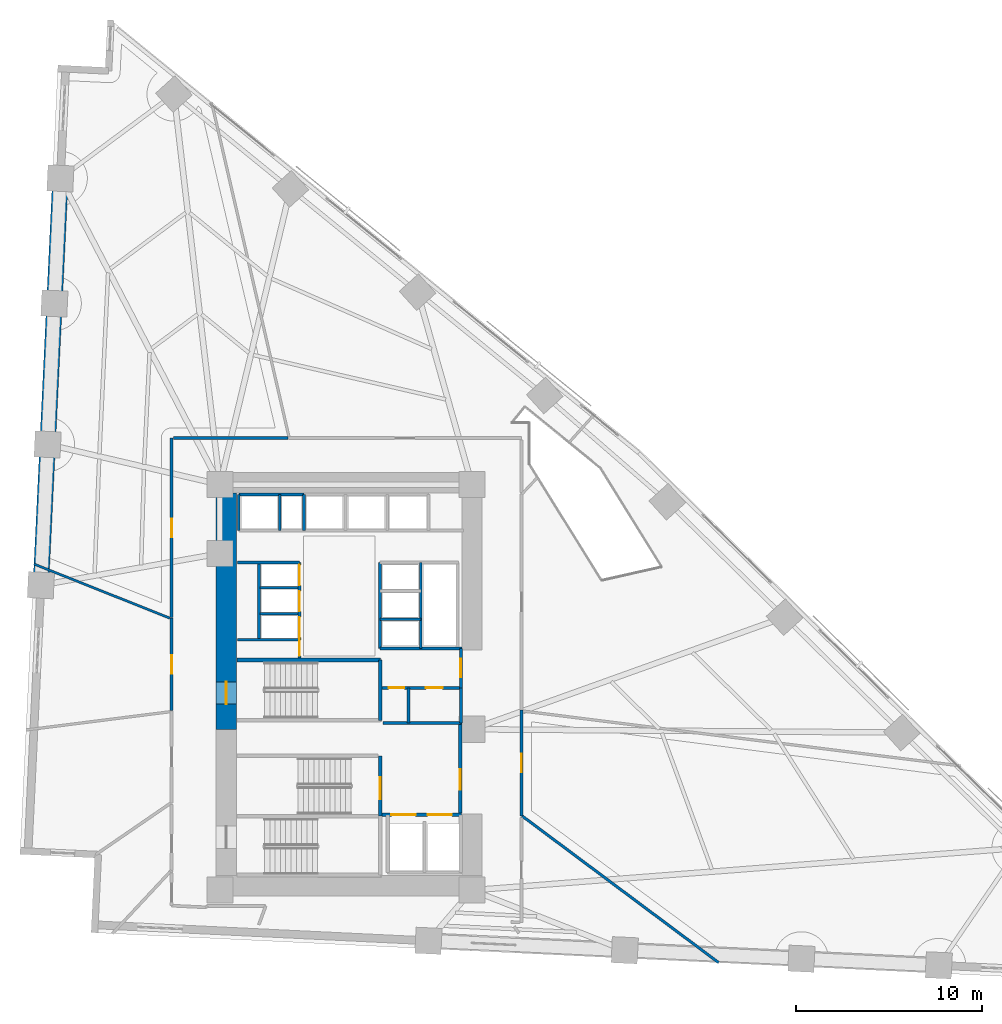
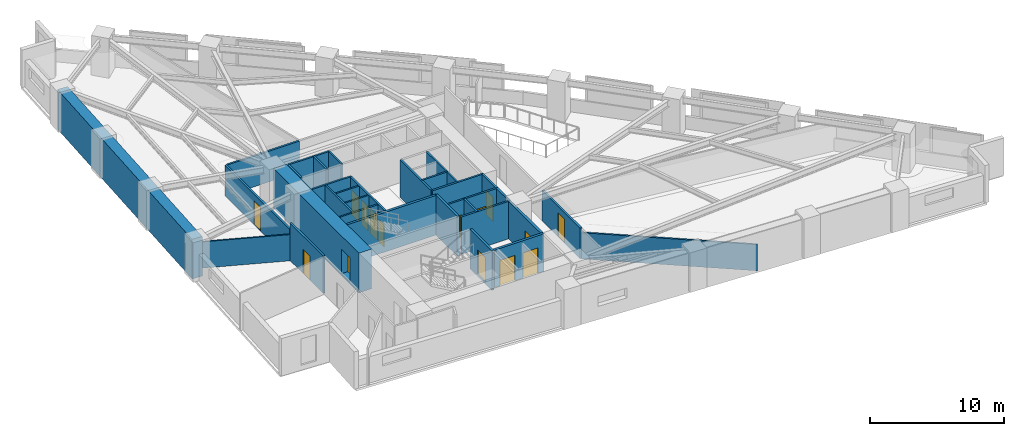
# One storey, part 14 of 17: 32 walls, 15 doors, 15 openings.
"""IFC4 building model written with IfcOpenShell, lengths in metres."""

from ifc_helpers import new_model, si_unit, direction, frame, frame_2d, origin, place, context, subcontext, project, spatial, rectangle, extrude, material, layer, layer_set, type_object, element, fill, save


model = new_model("IFC4")

# Units and contexts
model_context = context("Model", 3, precision=1e-05, world=origin(), true_north=direction((0.0, 1.0)))
body_context = subcontext(model_context, "Body", "Model", "MODEL_VIEW")
ifc_project = project(units=[si_unit("LENGTHUNIT", "METRE"), si_unit("AREAUNIT", "SQUARE_METRE"), si_unit("VOLUMEUNIT", "CUBIC_METRE"), si_unit("PLANEANGLEUNIT", "RADIAN"), si_unit("MASSUNIT", "GRAM", prefix="KILO")], contexts=[model_context])

# Site, building, storey
site_placement = place(None, origin())
site = spatial("IfcSite", under=ifc_project, at=site_placement, CompositionType="ELEMENT")
building_placement = place(site_placement, origin())
building = spatial("IfcBuilding", under=site, at=building_placement, Name="Narakoshi Arena Tower", CompositionType="ELEMENT")
storey_placement = place(building_placement, frame((0.0, 0.0, 51.89990234375)))
storey = spatial("IfcBuildingStorey", under=building, at=storey_placement, Name="L13", CompositionType="ELEMENT", Elevation=51.89990234375)

# Wall, opening, door
ifc_material_1 = material(Name="Concrete C60/75", Category="concrete")
ifc_layer_1 = layer(ifc_material_1, 1.10009765625)
ifc_layer_set_1 = layer_set([ifc_layer_1], Name="Concrete C60/75")
wall_type_1 = type_object("IfcWallType", Name="WL-CORE-1100", PredefinedType="SHEAR", material=ifc_layer_set_1)
wall_1_placement = place(storey_placement, frame((72.35009765625, 43.35009765625, -0.199951171875), z_axis=(0.0, 0.0, 1.0), x_axis=(0.0, 1.0, 0.0)))
wall_1 = element("IfcWall", 1, at=wall_1_placement, inside=storey, type_object=wall_type_1, Name="L13 Main Core Shear Wall CW-MN-W", PredefinedType="SHEAR", context=body_context, shape_type="SweptSolid", body=[
    extrude(rectangle(XDim=12.699951171875, YDim=1.10009765625, at=frame_2d((6.35009765625, 0.0))), origin(), (0.0, 0.0, 1.0), 3.60009765625),
])
opening_1_placement = place(wall_1_placement, frame((1.35009765625, 0.0, 0.199951171875)))
opening_1 = element("IfcOpeningElement", 2, at=opening_1_placement, cuts=wall_1, Name="Opening D-03", PredefinedType="OPENING", context=body_context, shape_type="SweptSolid", body=[
    extrude(rectangle(XDim=1.199951171875, YDim=2.199951171875, at=frame_2d((0.60009765625, 1.10009765625))), frame((0.0, 0.56005859375, 0.0), z_axis=(0.0, -1.0, 0.0), x_axis=(1.0, 0.0, 0.0)), (0.0, 0.0, 1.0), 1.1201171875),
])
ifc_material_2 = material(Name="Painted galvanized steel", Category="steel")
door_type_1 = type_object("IfcDoorType", Name="DR-STR-1200", OperationType="NOTDEFINED", PredefinedType="USERDEFINED", material=ifc_material_2)
door_1_placement = place(opening_1_placement, frame((1.199951171875, 0.0, 0.0), z_axis=(0.0, 0.0, 1.0), x_axis=(-1.0, 0.0, 0.0)))
door_1 = element("IfcDoor", 3, at=door_1_placement, inside=storey, type_object=door_type_1, Name="DR-L13-006", ObjectType="EXITDOOR", OperationType="SINGLE_SWING_LEFT", OverallHeight=2.199951171875, OverallWidth=1.199951171875, PredefinedType="USERDEFINED", context=body_context, shape_type="SweptSolid", body=[
    extrude(rectangle(XDim=1.199951171875, YDim=2.199951171875, at=frame_2d((0.60009765625, 1.10009765625))), frame((0.0, 0.02490234375, 0.0), z_axis=(0.0, -1.0, 0.0), x_axis=(1.0, 0.0, 0.0)), (0.0, 0.0, 1.0), 0.050048828125),
])
fill(opening_1, door_1)

ifc_material_3 = material(Name="Gypsum plasterboard fire-rated partition")
ifc_layer_2 = layer(ifc_material_3, 0.1650390625)
ifc_layer_set_2 = layer_set([ifc_layer_2], Name="Gypsum plasterboard fire-rated partition")
wall_type_2 = type_object("IfcWallType", Name="WL-CORR-165", PredefinedType="PARTITIONING", material=ifc_layer_set_2)
wall_2_placement = place(storey_placement, frame((84.949951171875, 45.580078125, 0.0), z_axis=(0.0, 0.0, 1.0), x_axis=(0.0, 1.0, 0.0)))
wall_2 = element("IfcWall", 4, at=wall_2_placement, inside=storey, type_object=wall_type_2, Name="L13 Core Wall CPAS-E", PredefinedType="PARTITIONING", context=body_context, shape_type="SweptSolid", body=[
    extrude(rectangle(XDim=2.119873046875, YDim=0.1650390625, at=frame_2d((1.06005859375, 0.0))), origin(), (0.0, 0.0, 1.0), 3.400146484375),
])
opening_2_placement = place(wall_2_placement, frame((0.56005859375, 0.0, 0.0)))
opening_2 = element("IfcOpeningElement", 5, at=opening_2_placement, cuts=wall_2, Name="Opening D-06", PredefinedType="OPENING", context=body_context, shape_type="SweptSolid", body=[
    extrude(rectangle(XDim=1.0, YDim=2.199951171875, at=frame_2d((0.5, 1.10009765625))), frame((0.0, 0.092529296875, 0.0), z_axis=(0.0, -1.0, 0.0), x_axis=(1.0, 0.0, 0.0)), (0.0, 0.0, 1.0), 0.18505859375),
])
ifc_material_4 = material(Name="Stained oak solid-core timber", Category="wood")
door_type_2 = type_object("IfcDoorType", Name="DR-OFF-1000", OperationType="NOTDEFINED", PredefinedType="DOOR", material=ifc_material_4)
door_2_placement = place(opening_2_placement, frame((1.0, 0.0, 0.0), z_axis=(0.0, 0.0, 1.0), x_axis=(-1.0, 0.0, 0.0)))
door_2 = element("IfcDoor", 6, at=door_2_placement, inside=storey, type_object=door_type_2, Name="DR-L13-007", OperationType="SINGLE_SWING_LEFT", OverallHeight=2.199951171875, OverallWidth=1.0, PredefinedType="DOOR", context=body_context, shape_type="SweptSolid", body=[
    extrude(rectangle(XDim=1.0, YDim=2.199951171875, at=frame_2d((0.5, 1.10009765625))), frame((0.0, 0.02490234375, 0.0), z_axis=(0.0, -1.0, 0.0), x_axis=(1.0, 0.0, 0.0)), (0.0, 0.0, 1.0), 0.050048828125),
])
fill(opening_2, door_2)

wall_3_placement = place(storey_placement, frame((69.402587890625, 49.320068359375, 0.0), z_axis=(0.0, 0.0, 1.0), x_axis=(0.0, -1.0, 0.0)))
wall_3 = element("IfcWall", 7, at=wall_3_placement, inside=storey, type_object=wall_type_2, Name="L13 Corridor Partition 02-1", PredefinedType="PARTITIONING", context=body_context, shape_type="SweptSolid", body=[
    extrude(rectangle(XDim=4.958251953125, YDim=0.1650390625, at=frame_2d((2.47900390625, 0.0))), origin(), (0.0, 0.0, 1.0), 3.400146484375),
])
opening_3_placement = place(wall_3_placement, frame((1.979248046875, 0.0, 0.0)))
opening_3 = element("IfcOpeningElement", 8, at=opening_3_placement, cuts=wall_3, Name="Opening D-06", PredefinedType="OPENING", context=body_context, shape_type="SweptSolid", body=[
    extrude(rectangle(XDim=1.0, YDim=2.199951171875, at=frame_2d((0.5, 1.10009765625))), frame((0.0, 0.092529296875, 0.0), z_axis=(0.0, -1.0, 0.0), x_axis=(1.0, 0.0, 0.0)), (0.0, 0.0, 1.0), 0.18505859375),
])
door_3_placement = place(opening_3_placement, frame((1.0, 0.0, 0.0), z_axis=(0.0, 0.0, 1.0), x_axis=(-1.0, 0.0, 0.0)))
door_3 = element("IfcDoor", 9, at=door_3_placement, inside=storey, type_object=door_type_2, Name="DR-L13-015", OperationType="SINGLE_SWING_RIGHT", OverallHeight=2.199951171875, OverallWidth=1.0, PredefinedType="DOOR", context=body_context, shape_type="SweptSolid", body=[
    extrude(rectangle(XDim=1.0, YDim=2.199951171875, at=frame_2d((0.5, 1.10009765625))), frame((0.0, 0.02490234375, 0.0), z_axis=(0.0, -1.0, 0.0), x_axis=(1.0, 0.0, 0.0)), (0.0, 0.0, 1.0), 0.050048828125),
])
fill(opening_3, door_3)

wall_4_placement = place(storey_placement, frame((88.20947265625, 38.684814453125, 0.0), z_axis=(0.0, 0.0, 1.0), x_axis=(0.0, 1.0, 0.0)))
wall_4 = element("IfcWall", 10, at=wall_4_placement, inside=storey, type_object=wall_type_2, Name="L13 Corridor Partition 05-1", PredefinedType="PARTITIONING", context=body_context, shape_type="SweptSolid", body=[
    extrude(rectangle(XDim=5.689453125, YDim=0.1650390625, at=frame_2d((2.8447265625, 0.0))), origin(), (0.0, 0.0, 1.0), 2.78515625),
])
opening_4_placement = place(wall_4_placement, frame((2.3447265625, 0.0, 0.0)))
opening_4 = element("IfcOpeningElement", 11, at=opening_4_placement, cuts=wall_4, Name="Opening D-06", PredefinedType="OPENING", context=body_context, shape_type="SweptSolid", body=[
    extrude(rectangle(XDim=1.0, YDim=2.199951171875, at=frame_2d((0.5, 1.10009765625))), frame((0.0, 0.092529296875, 0.0), z_axis=(0.0, -1.0, 0.0), x_axis=(1.0, 0.0, 0.0)), (0.0, 0.0, 1.0), 0.18505859375),
])
door_4_placement = place(opening_4_placement, frame((1.0, 0.0, 0.0), z_axis=(0.0, 0.0, 1.0), x_axis=(-1.0, 0.0, 0.0)))
door_4 = element("IfcDoor", 12, at=door_4_placement, inside=storey, type_object=door_type_2, Name="DR-L13-018", OperationType="SINGLE_SWING_LEFT", OverallHeight=2.199951171875, OverallWidth=1.0, PredefinedType="DOOR", context=body_context, shape_type="SweptSolid", body=[
    extrude(rectangle(XDim=1.0, YDim=2.199951171875, at=frame_2d((0.5, 1.10009765625))), frame((0.0, 0.02490234375, 0.0), z_axis=(0.0, -1.0, 0.0), x_axis=(1.0, 0.0, 0.0)), (0.0, 0.0, 1.0), 0.050048828125),
])
fill(opening_4, door_4)

wall_5_placement = place(storey_placement, frame((69.402587890625, 58.99755859375, 0.0), z_axis=(0.0, 0.0, 1.0), x_axis=(0.0, -1.0, 0.0)))
wall_5 = element("IfcWall", 13, at=wall_5_placement, inside=storey, type_object=wall_type_2, Name="L13 Corridor Partition 09-1", PredefinedType="PARTITIONING", context=body_context, shape_type="SweptSolid", body=[
    extrude(rectangle(XDim=9.65185546875, YDim=0.1650390625, at=frame_2d((4.825927734375, 0.0))), origin(), (0.0, 0.0, 1.0), 2.78515625),
])
opening_5_placement = place(wall_5_placement, frame((4.325927734375, 0.0, 0.0)))
opening_5 = element("IfcOpeningElement", 14, at=opening_5_placement, cuts=wall_5, Name="Opening D-06", PredefinedType="OPENING", context=body_context, shape_type="SweptSolid", body=[
    extrude(rectangle(XDim=1.0, YDim=2.199951171875, at=frame_2d((0.5, 1.10009765625))), frame((0.0, 0.092529296875, 0.0), z_axis=(0.0, -1.0, 0.0), x_axis=(1.0, 0.0, 0.0)), (0.0, 0.0, 1.0), 0.18505859375),
])
door_5_placement = place(opening_5_placement, frame((1.0, 0.0, 0.0), z_axis=(0.0, 0.0, 1.0), x_axis=(-1.0, 0.0, 0.0)))
door_5 = element("IfcDoor", 15, at=door_5_placement, inside=storey, type_object=door_type_2, Name="DR-L13-022", OperationType="SINGLE_SWING_LEFT", OverallHeight=2.199951171875, OverallWidth=1.0, PredefinedType="DOOR", context=body_context, shape_type="SweptSolid", body=[
    extrude(rectangle(XDim=1.0, YDim=2.199951171875, at=frame_2d((0.5, 1.10009765625))), frame((0.0, 0.02490234375, 0.0), z_axis=(0.0, -1.0, 0.0), x_axis=(1.0, 0.0, 0.0)), (0.0, 0.0, 1.0), 0.050048828125),
])
fill(opening_5, door_5)

# Walls
wall_6_placement = place(storey_placement, frame((75.668212890625, 58.99755859375, 0.0), z_axis=(0.0, 0.0, 1.0), x_axis=(-1.0, 0.0, 0.0)))
element("IfcWall", 16, at=wall_6_placement, inside=storey, type_object=wall_type_2, Name="L13 Corridor Partition 09-2", PredefinedType="PARTITIONING", context=body_context, shape_type="SweptSolid", body=[
    extrude(rectangle(XDim=6.171142578125, YDim=0.1650390625, at=frame_2d((3.08544921875, 0.0))), origin(), (0.0, 0.0, 1.0), 2.78515625),
])
ifc_layer_3 = layer(ifc_material_1, 0.85009765625)
ifc_layer_set_3 = layer_set([ifc_layer_3], Name="Concrete C60/75")
wall_type_3 = type_object("IfcWallType", Name="WL-LEG-850", PredefinedType="SHEAR", material=ifc_layer_set_3)
wall_7_placement = place(storey_placement, frame((63.42822265625, 72.95654296875, -0.199951171875), z_axis=(0.0, 0.0, 1.0), x_axis=(-0.047976309476, -0.998848473858, 0.0)))
element("IfcWall", 17, at=wall_7_placement, inside=storey, type_object=wall_type_3, Name="L13 Architectural Concrete Structural Wall LEGB-2", PredefinedType="SHEAR", context=body_context, shape_type="SweptSolid", body=[
    extrude(rectangle(XDim=21.891845703125, YDim=0.85009765625, at=frame_2d((10.94580078125, 0.0))), origin(), (0.0, 0.0, 1.0), 3.60009765625),
])
ifc_layer_4 = layer(ifc_material_3, 0.125)
ifc_layer_set_4 = layer_set([ifc_layer_4], Name="Gypsum plasterboard fire-rated partition")
wall_type_4 = type_object("IfcWallType", Name="WL-PART-125", PredefinedType="PARTITIONING", material=ifc_layer_set_4)
wall_8_placement = place(storey_placement, frame((62.007080078125, 52.229736328125, 0.0), z_axis=(0.0, 0.0, 1.0), x_axis=(0.929100277446, -0.36982789842, 0.0)))
element("IfcWall", 18, at=wall_8_placement, inside=storey, type_object=wall_type_4, Name="L13 Inter-Room Partition 02-09", PredefinedType="PARTITIONING", context=body_context, shape_type="SweptSolid", body=[
    extrude(rectangle(XDim=7.86767578125, YDim=0.125, at=frame_2d((3.933837890625, 0.0))), origin(), (0.0, 0.0, 1.0), 2.385009765625),
])
ifc_material_5 = material(Name="Concrete C40/50", Category="concrete")
ifc_layer_5 = layer(ifc_material_5, 0.280029296875)
ifc_layer_set_5 = layer_set([ifc_layer_5], Name="Concrete C40/50")
wall_type_5 = type_object("IfcWallType", Name="WL-RISER-280", PredefinedType="PLUMBINGWALL", material=ifc_layer_set_5)
wall_9_placement = place(storey_placement, frame((84.949951171875, 43.679931640625, 0.0), z_axis=(0.0, 0.0, 1.0), x_axis=(0.0, 1.0, 0.0)))
element("IfcWall", 19, at=wall_9_placement, inside=storey, type_object=wall_type_5, Name="L13 Core Wall RSR-E", PredefinedType="PLUMBINGWALL", context=body_context, shape_type="SweptSolid", body=[
    extrude(rectangle(XDim=1.900146484375, YDim=0.1650390625, at=frame_2d((0.9501953125, 0.0))), origin(), (0.0, 0.0, 1.0), 3.400146484375),
])

# Wall, openings, doors
wall_10_placement = place(storey_placement, frame((80.719970703125, 45.580078125, 0.0), z_axis=(0.0, 0.0, 1.0), x_axis=(1.0, 0.0, 0.0)))
wall_10 = element("IfcWall", 20, at=wall_10_placement, inside=storey, type_object=wall_type_5, Name="L13 Core Wall RSR-N", PredefinedType="PLUMBINGWALL", context=body_context, shape_type="SweptSolid", body=[
    extrude(rectangle(XDim=4.22998046875, YDim=0.159912109375, at=frame_2d((2.114990234375, 0.0))), origin(), (0.0, 0.0, 1.0), 3.400146484375),
])
opening_6_placement = place(wall_10_placement, frame((0.35009765625, 0.0, 0.0)))
opening_6 = element("IfcOpeningElement", 21, at=opening_6_placement, cuts=wall_10, Name="Opening D-10", PredefinedType="OPENING", context=body_context, shape_type="SweptSolid", body=[
    extrude(rectangle(XDim=0.85009765625, YDim=2.050048828125, at=frame_2d((0.425048828125, 1.02490234375))), frame((0.0, 0.08984375, 0.0), z_axis=(0.0, -1.0, 0.0), x_axis=(1.0, 0.0, 0.0)), (0.0, 0.0, 1.0), 0.179931640625),
])
opening_7_placement = place(wall_10_placement, frame((2.35009765625, 0.0, 0.0)))
opening_7 = element("IfcOpeningElement", 22, at=opening_7_placement, cuts=wall_10, Name="Opening D-08", PredefinedType="OPENING", context=body_context, shape_type="SweptSolid", body=[
    extrude(rectangle(XDim=0.89990234375, YDim=2.10009765625, at=frame_2d((0.449951171875, 1.050048828125))), frame((0.0, 0.08984375, 0.0), z_axis=(0.0, -1.0, 0.0), x_axis=(1.0, 0.0, 0.0)), (0.0, 0.0, 1.0), 0.179931640625),
])
door_type_3 = type_object("IfcDoorType", Name="DR-RSR-850", OperationType="NOTDEFINED", PredefinedType="DOOR", material=ifc_material_2)
door_6_placement = place(opening_6_placement, frame((0.85009765625, 0.0, 0.0), z_axis=(0.0, 0.0, 1.0), x_axis=(-1.0, 0.0, 0.0)))
door_6 = element("IfcDoor", 23, at=door_6_placement, inside=storey, type_object=door_type_3, Name="DR-L13-008", OperationType="SINGLE_SWING_LEFT", OverallHeight=2.050048828125, OverallWidth=0.85009765625, PredefinedType="DOOR", context=body_context, shape_type="SweptSolid", body=[
    extrude(rectangle(XDim=0.85009765625, YDim=2.050048828125, at=frame_2d((0.425048828125, 1.02490234375))), frame((0.0, 0.02490234375, 0.0), z_axis=(0.0, -1.0, 0.0), x_axis=(1.0, 0.0, 0.0)), (0.0, 0.0, 1.0), 0.050048828125),
])
fill(opening_6, door_6)
ifc_material_6 = material(Name="Moisture-resistant laminate timber", Category="wood")
door_type_4 = type_object("IfcDoorType", Name="DR-WC-900", OperationType="NOTDEFINED", PredefinedType="DOOR", material=ifc_material_6)
door_7_placement = place(opening_7_placement, frame((0.89990234375, 0.0, 0.0), z_axis=(0.0, 0.0, 1.0), x_axis=(-1.0, 0.0, 0.0)))
door_7 = element("IfcDoor", 24, at=door_7_placement, inside=storey, type_object=door_type_4, Name="DR-L13-009", OperationType="SINGLE_SWING_RIGHT", OverallHeight=2.10009765625, OverallWidth=0.89990234375, PredefinedType="DOOR", context=body_context, shape_type="SweptSolid", body=[
    extrude(rectangle(XDim=0.89990234375, YDim=2.10009765625, at=frame_2d((0.449951171875, 1.050048828125))), frame((0.0, 0.02490234375, 0.0), z_axis=(0.0, -1.0, 0.0), x_axis=(1.0, 0.0, 0.0)), (0.0, 0.0, 1.0), 0.050048828125),
])
fill(opening_7, door_7)

# Walls
wall_11_placement = place(storey_placement, frame((80.760009765625, 43.679931640625, 0.0), z_axis=(0.0, 0.0, 1.0), x_axis=(1.0, 0.0, 0.0)))
element("IfcWall", 25, at=wall_11_placement, inside=storey, type_object=wall_type_5, Name="L13 Core Wall RSR-S", PredefinedType="PLUMBINGWALL", context=body_context, shape_type="SweptSolid", body=[
    extrude(rectangle(XDim=4.18994140625, YDim=0.159912109375, at=frame_2d((2.094970703125, 0.0))), origin(), (0.0, 0.0, 1.0), 3.400146484375),
])
wall_12_placement = place(storey_placement, frame((82.14990234375, 43.679931640625, 0.0), z_axis=(0.0, 0.0, 1.0), x_axis=(0.0, 1.0, 0.0)))
element("IfcWall", 26, at=wall_12_placement, inside=storey, type_object=wall_type_5, Name="L13 Core Wall RSR-M", PredefinedType="PLUMBINGWALL", context=body_context, shape_type="SweptSolid", body=[
    extrude(rectangle(XDim=1.900146484375, YDim=0.159912109375, at=frame_2d((0.9501953125, 0.0))), origin(), (0.0, 0.0, 1.0), 3.400146484375),
])
wall_13_placement = place(storey_placement, frame((72.949951171875, 48.159912109375, 0.0), z_axis=(0.0, 0.0, 1.0), x_axis=(1.0, 0.0, 0.0)))
element("IfcWall", 27, at=wall_13_placement, inside=storey, type_object=wall_type_5, Name="L13 Core Wall LR-S0", PredefinedType="PLUMBINGWALL", context=body_context, shape_type="SweptSolid", body=[
    extrude(rectangle(XDim=3.239990234375, YDim=0.139892578125, at=frame_2d((1.6201171875, 0.0))), origin(), (0.0, 0.0, 1.0), 3.400146484375),
])
for number, where, z_axis, x_axis, name in (
    (28, (74.14990234375, 49.550048828125, 0.0), (0.0, 0.0, 1.0), (1.0, 0.0, 0.0), "L13 Core Wall LR-D1"),
    (29, (74.14990234375, 50.949951171875, 0.0), (0.0, 0.0, 1.0), (1.0, 0.0, 0.0), "L13 Core Wall LR-D2"),
):
    element("IfcWall", number, at=place(storey_placement, frame(where, z_axis=z_axis, x_axis=x_axis)), inside=storey, type_object=wall_type_5, Name=name, PredefinedType="PLUMBINGWALL", context=body_context, shape_type="SweptSolid", body=[
        extrude(rectangle(XDim=2.0400390625, YDim=0.139892578125, at=frame_2d((1.02001953125, 0.0))), origin(), (0.0, 0.0, 1.0), 3.400146484375),
    ])
wall_14_placement = place(storey_placement, frame((74.10009765625, 48.159912109375, 0.0), z_axis=(0.0, 0.0, 1.0), x_axis=(0.0, 1.0, 0.0)))
element("IfcWall", 30, at=wall_14_placement, inside=storey, type_object=wall_type_5, Name="L13 Core Wall LR-W", PredefinedType="PLUMBINGWALL", context=body_context, shape_type="SweptSolid", body=[
    extrude(rectangle(XDim=4.16015625, YDim=0.139892578125, at=frame_2d((2.080078125, 0.0))), origin(), (0.0, 0.0, 1.0), 3.400146484375),
])
wall_15_placement = place(storey_placement, frame((80.60009765625, 49.260009765625, 0.0), z_axis=(0.0, 0.0, 1.0), x_axis=(1.0, 0.0, 0.0)))
element("IfcWall", 31, at=wall_15_placement, inside=storey, type_object=wall_type_5, Name="L13 Core Wall MR-D1", PredefinedType="PLUMBINGWALL", context=body_context, shape_type="SweptSolid", body=[
    extrude(rectangle(XDim=2.199951171875, YDim=0.14990234375, at=frame_2d((1.10009765625, 0.0))), origin(), (0.0, 0.0, 1.0), 3.400146484375),
])
wall_16_placement = place(storey_placement, frame((82.800048828125, 47.699951171875, 0.0), z_axis=(0.0, 0.0, 1.0), x_axis=(0.0, 1.0, 0.0)))
element("IfcWall", 32, at=wall_16_placement, inside=storey, type_object=wall_type_5, Name="L13 Core Wall MR-E", PredefinedType="PLUMBINGWALL", context=body_context, shape_type="SweptSolid", body=[
    extrude(rectangle(XDim=4.60009765625, YDim=0.14990234375, at=frame_2d((2.300048828125, 0.0))), origin(), (0.0, 0.0, 1.0), 3.400146484375),
])
for number, where, z_axis, x_axis, name in (
    (33, (73.02001953125, 54.02001953125, 0.0), (0.0, 0.0, 1.0), (0.0, 1.0, 0.0), "L13 Core Wall OBS-W"),
    (34, (75.219970703125, 54.02001953125, 0.0), (0.0, 0.0, 1.0), (0.0, 1.0, 0.0), "L13 Core Wall OBS-M"),
):
    element("IfcWall", number, at=place(storey_placement, frame(where, z_axis=z_axis, x_axis=x_axis)), inside=storey, type_object=wall_type_5, Name=name, PredefinedType="PLUMBINGWALL", context=body_context, shape_type="SweptSolid", body=[
        extrude(rectangle(XDim=1.93994140625, YDim=0.14990234375, at=frame_2d((0.969970703125, 0.0))), origin(), (0.0, 0.0, 1.0), 3.400146484375),
    ])

# Wall, opening, door
ifc_material_7 = material(Name="Concrete C50/60", Category="concrete")
ifc_layer_6 = layer(ifc_material_7, 0.35009765625)
ifc_layer_set_6 = layer_set([ifc_layer_6], Name="Concrete C50/60")
wall_type_6 = type_object("IfcWallType", Name="WL-SHAFT-350", PredefinedType="SOLIDWALL", material=ifc_layer_set_6)
wall_17_placement = place(storey_placement, frame((80.6201171875, 38.675048828125, -0.199951171875), z_axis=(0.0, 0.0, 1.0), x_axis=(0.0, 1.0, 0.0)))
wall_17 = element("IfcWall", 35, at=wall_17_placement, inside=storey, type_object=wall_type_6, Name="L13 Core Wall ST2-E", PredefinedType="SOLIDWALL", context=body_context, shape_type="SweptSolid", body=[
    extrude(rectangle(XDim=3.244873046875, YDim=0.199951171875, at=frame_2d((1.62255859375, 0.0))), origin(), (0.0, 0.0, 1.0), 3.60009765625),
])
opening_8_placement = place(wall_17_placement, frame((0.89990234375, 0.0, 0.199951171875)))
opening_8 = element("IfcOpeningElement", 36, at=opening_8_placement, cuts=wall_17, Name="Opening D-03", PredefinedType="OPENING", context=body_context, shape_type="SweptSolid", body=[
    extrude(rectangle(XDim=1.199951171875, YDim=2.199951171875, at=frame_2d((0.60009765625, 1.10009765625))), frame((0.0, 0.10986328125, 0.0), z_axis=(0.0, -1.0, 0.0), x_axis=(1.0, 0.0, 0.0)), (0.0, 0.0, 1.0), 0.219970703125),
])
door_8_placement = place(opening_8_placement, origin())
door_8 = element("IfcDoor", 37, at=door_8_placement, inside=storey, type_object=door_type_1, Name="DR-L13-002", ObjectType="EXITDOOR", OperationType="SINGLE_SWING_RIGHT", OverallHeight=2.199951171875, OverallWidth=1.199951171875, PredefinedType="USERDEFINED", context=body_context, shape_type="SweptSolid", body=[
    extrude(rectangle(XDim=1.199951171875, YDim=2.199951171875, at=frame_2d((0.60009765625, 1.10009765625))), frame((0.0, 0.02490234375, 0.0), z_axis=(0.0, -1.0, 0.0), x_axis=(1.0, 0.0, 0.0)), (0.0, 0.0, 1.0), 0.050048828125),
])
fill(opening_8, door_8)

# Wall, openings, doors
wall_18_placement = place(storey_placement, frame((80.719970703125, 38.75, 0.0), z_axis=(0.0, 0.0, 1.0), x_axis=(1.0, 0.0, 0.0)))
wall_18 = element("IfcWall", 38, at=wall_18_placement, inside=storey, type_object=wall_type_6, Name="L13 Core Wall FF-N", PredefinedType="SOLIDWALL", context=body_context, shape_type="SweptSolid", body=[
    extrude(rectangle(XDim=4.260009765625, YDim=0.199951171875, at=frame_2d((2.1298828125, 0.0))), origin(), (0.0, 0.0, 1.0), 3.400146484375),
])
opening_9_placement = place(wall_18_placement, frame((0.5, 0.0, 0.0)))
opening_9 = element("IfcOpeningElement", 39, at=opening_9_placement, cuts=wall_18, Name="Opening LD-02", PredefinedType="OPENING", context=body_context, shape_type="SweptSolid", body=[
    extrude(rectangle(XDim=1.300048828125, YDim=2.300048828125, at=frame_2d((0.64990234375, 1.14990234375))), frame((0.0, 0.10986328125, 0.0), z_axis=(0.0, -1.0, 0.0), x_axis=(1.0, 0.0, 0.0)), (0.0, 0.0, 1.0), 0.219970703125),
])
opening_10_placement = place(wall_18_placement, frame((2.449951171875, 0.0, 0.0)))
opening_10 = element("IfcOpeningElement", 40, at=opening_10_placement, cuts=wall_18, Name="Opening LD-02", PredefinedType="OPENING", context=body_context, shape_type="SweptSolid", body=[
    extrude(rectangle(XDim=1.300048828125, YDim=2.300048828125, at=frame_2d((0.64990234375, 1.14990234375))), frame((0.0, 0.10986328125, 0.0), z_axis=(0.0, -1.0, 0.0), x_axis=(1.0, 0.0, 0.0)), (0.0, 0.0, 1.0), 0.219970703125),
])
ifc_material_8 = material(Name="Brushed bronze stainless steel", Category="steel")
door_type_5 = type_object("IfcDoorType", Name="DR-LFT-1300", OperationType="DOUBLE_DOOR_SLIDING", PredefinedType="DOOR", material=ifc_material_8)
door_9_placement = place(opening_9_placement, origin())
door_9 = element("IfcDoor", 41, at=door_9_placement, inside=storey, type_object=door_type_5, Name="DR-L13-003", OperationType="DOUBLE_DOOR_SLIDING", OverallHeight=2.300048828125, OverallWidth=1.300048828125, PredefinedType="DOOR", context=body_context, shape_type="SweptSolid", body=[
    extrude(rectangle(XDim=1.300048828125, YDim=2.300048828125, at=frame_2d((0.64990234375, 1.14990234375))), frame((0.0, 0.02490234375, 0.0), z_axis=(0.0, -1.0, 0.0), x_axis=(1.0, 0.0, 0.0)), (0.0, 0.0, 1.0), 0.050048828125),
])
fill(opening_9, door_9)
door_10_placement = place(opening_10_placement, origin())
door_10 = element("IfcDoor", 42, at=door_10_placement, inside=storey, type_object=door_type_5, Name="DR-L13-004", OperationType="DOUBLE_DOOR_SLIDING", OverallHeight=2.300048828125, OverallWidth=1.300048828125, PredefinedType="DOOR", context=body_context, shape_type="SweptSolid", body=[
    extrude(rectangle(XDim=1.300048828125, YDim=2.300048828125, at=frame_2d((0.64990234375, 1.14990234375))), frame((0.0, 0.02490234375, 0.0), z_axis=(0.0, -1.0, 0.0), x_axis=(1.0, 0.0, 0.0)), (0.0, 0.0, 1.0), 0.050048828125),
])
fill(opening_10, door_10)

# Wall, opening, door
wall_19_placement = place(storey_placement, frame((84.919921875, 38.85009765625, 0.0), z_axis=(0.0, 0.0, 1.0), x_axis=(0.0, 1.0, 0.0)))
wall_19 = element("IfcWall", 43, at=wall_19_placement, inside=storey, type_object=wall_type_6, Name="L13 Core Wall FFLOB-E", PredefinedType="SOLIDWALL", context=body_context, shape_type="SweptSolid", body=[
    extrude(rectangle(XDim=4.829833984375, YDim=0.199951171875, at=frame_2d((2.4150390625, 0.0))), origin(), (0.0, 0.0, 1.0), 3.400146484375),
])
opening_11_placement = place(wall_19_placement, frame((1.25, 0.0, 0.0)))
opening_11 = element("IfcOpeningElement", 44, at=opening_11_placement, cuts=wall_19, Name="Opening D-04", PredefinedType="OPENING", context=body_context, shape_type="SweptSolid", body=[
    extrude(rectangle(XDim=1.10009765625, YDim=2.199951171875, at=frame_2d((0.550048828125, 1.10009765625))), frame((0.0, 0.10986328125, 0.0), z_axis=(0.0, -1.0, 0.0), x_axis=(1.0, 0.0, 0.0)), (0.0, 0.0, 1.0), 0.219970703125),
])
door_type_6 = type_object("IfcDoorType", Name="DR-FFL-1100", OperationType="NOTDEFINED", PredefinedType="DOOR", material=ifc_material_2)
door_11_placement = place(opening_11_placement, frame((1.10009765625, 0.0, 0.0), z_axis=(0.0, 0.0, 1.0), x_axis=(-1.0, 0.0, 0.0)))
door_11 = element("IfcDoor", 45, at=door_11_placement, inside=storey, type_object=door_type_6, Name="DR-L13-005", OperationType="SINGLE_SWING_RIGHT", OverallHeight=2.199951171875, OverallWidth=1.10009765625, PredefinedType="DOOR", context=body_context, shape_type="SweptSolid", body=[
    extrude(rectangle(XDim=1.10009765625, YDim=2.199951171875, at=frame_2d((0.550048828125, 1.10009765625))), frame((0.0, 0.02490234375, 0.0), z_axis=(0.0, -1.0, 0.0), x_axis=(1.0, 0.0, 0.0)), (0.0, 0.0, 1.0), 0.050048828125),
])
fill(opening_11, door_11)

# Walls
wall_20_placement = place(storey_placement, frame((72.919921875, 47.070068359375, -0.199951171875), z_axis=(0.0, 0.0, 1.0), x_axis=(1.0, 0.0, 0.0)))
element("IfcWall", 46, at=wall_20_placement, inside=storey, type_object=wall_type_6, Name="L13 Core Wall ST3-N", PredefinedType="SOLIDWALL", context=body_context, shape_type="SweptSolid", body=[
    extrude(rectangle(XDim=7.7001953125, YDim=0.199951171875, at=frame_2d((3.85009765625, 0.0))), origin(), (0.0, 0.0, 1.0), 3.60009765625),
])
wall_21_placement = place(storey_placement, frame((80.6201171875, 43.830078125, -0.199951171875), z_axis=(0.0, 0.0, 1.0), x_axis=(0.0, 1.0, 0.0)))
element("IfcWall", 47, at=wall_21_placement, inside=storey, type_object=wall_type_6, Name="L13 Core Wall ST3-E", PredefinedType="SOLIDWALL", context=body_context, shape_type="SweptSolid", body=[
    extrude(rectangle(XDim=3.239990234375, YDim=0.199951171875, at=frame_2d((1.6201171875, 0.0))), origin(), (0.0, 0.0, 1.0), 3.60009765625),
])

# Wall, openings, doors
wall_22_placement = place(storey_placement, frame((76.280029296875, 47.179931640625, 0.0), z_axis=(0.0, 0.0, 1.0), x_axis=(0.0, 1.0, 0.0)))
wall_22 = element("IfcWall", 48, at=wall_22_placement, inside=storey, type_object=wall_type_6, Name="L13 Core Wall LR-E", PredefinedType="SOLIDWALL", context=body_context, shape_type="SweptSolid", body=[
    extrude(rectangle(XDim=5.14013671875, YDim=0.159912109375, at=frame_2d((2.570068359375, 0.0))), origin(), (0.0, 0.0, 1.0), 3.400146484375),
])
opening_12_placement = place(wall_22_placement, frame((1.10009765625, 0.0, 0.0)))
opening_12 = element("IfcOpeningElement", 49, at=opening_12_placement, cuts=wall_22, Name="Opening LD-01", PredefinedType="OPENING", context=body_context, shape_type="SweptSolid", body=[
    extrude(rectangle(XDim=1.10009765625, YDim=2.25, at=frame_2d((0.550048828125, 1.125))), frame((0.0, 0.08984375, 0.0), z_axis=(0.0, -1.0, 0.0), x_axis=(1.0, 0.0, 0.0)), (0.0, 0.0, 1.0), 0.179931640625),
])
opening_13_placement = place(wall_22_placement, frame((2.5, 0.0, 0.0)))
opening_13 = element("IfcOpeningElement", 50, at=opening_13_placement, cuts=wall_22, Name="Opening LD-01", PredefinedType="OPENING", context=body_context, shape_type="SweptSolid", body=[
    extrude(rectangle(XDim=1.10009765625, YDim=2.25, at=frame_2d((0.550048828125, 1.125))), frame((0.0, 0.08984375, 0.0), z_axis=(0.0, -1.0, 0.0), x_axis=(1.0, 0.0, 0.0)), (0.0, 0.0, 1.0), 0.179931640625),
])
opening_14_placement = place(wall_22_placement, frame((3.89990234375, 0.0, 0.0)))
opening_14 = element("IfcOpeningElement", 51, at=opening_14_placement, cuts=wall_22, Name="Opening LD-01", PredefinedType="OPENING", context=body_context, shape_type="SweptSolid", body=[
    extrude(rectangle(XDim=1.10009765625, YDim=2.25, at=frame_2d((0.550048828125, 1.125))), frame((0.0, 0.08984375, 0.0), z_axis=(0.0, -1.0, 0.0), x_axis=(1.0, 0.0, 0.0)), (0.0, 0.0, 1.0), 0.179931640625),
])
opening_15_placement = place(wall_22_placement, frame((0.1201171875, 0.0, 0.0)))
opening_15 = element("IfcOpeningElement", 52, at=opening_15_placement, cuts=wall_22, Name="Opening D-10", PredefinedType="OPENING", context=body_context, shape_type="SweptSolid", body=[
    extrude(rectangle(XDim=0.85009765625, YDim=2.050048828125, at=frame_2d((0.425048828125, 1.02490234375))), frame((0.0, 0.08984375, 0.0), z_axis=(0.0, -1.0, 0.0), x_axis=(1.0, 0.0, 0.0)), (0.0, 0.0, 1.0), 0.179931640625),
])
door_type_7 = type_object("IfcDoorType", Name="DR-LFT-1100", OperationType="DOUBLE_DOOR_SLIDING", PredefinedType="DOOR", material=ifc_material_8)
door_12_placement = place(opening_12_placement, origin())
door_12 = element("IfcDoor", 53, at=door_12_placement, inside=storey, type_object=door_type_7, Name="DR-L13-010", OperationType="DOUBLE_DOOR_SLIDING", OverallHeight=2.25, OverallWidth=1.10009765625, PredefinedType="DOOR", context=body_context, shape_type="SweptSolid", body=[
    extrude(rectangle(XDim=1.10009765625, YDim=2.25, at=frame_2d((0.550048828125, 1.125))), frame((0.0, 0.02490234375, 0.0), z_axis=(0.0, -1.0, 0.0), x_axis=(1.0, 0.0, 0.0)), (0.0, 0.0, 1.0), 0.050048828125),
])
fill(opening_12, door_12)
door_13_placement = place(opening_13_placement, origin())
door_13 = element("IfcDoor", 54, at=door_13_placement, inside=storey, type_object=door_type_7, Name="DR-L13-011", OperationType="DOUBLE_DOOR_SLIDING", OverallHeight=2.25, OverallWidth=1.10009765625, PredefinedType="DOOR", context=body_context, shape_type="SweptSolid", body=[
    extrude(rectangle(XDim=1.10009765625, YDim=2.25, at=frame_2d((0.550048828125, 1.125))), frame((0.0, 0.02490234375, 0.0), z_axis=(0.0, -1.0, 0.0), x_axis=(1.0, 0.0, 0.0)), (0.0, 0.0, 1.0), 0.050048828125),
])
fill(opening_13, door_13)
door_14_placement = place(opening_14_placement, origin())
door_14 = element("IfcDoor", 55, at=door_14_placement, inside=storey, type_object=door_type_7, Name="DR-L13-012", OperationType="DOUBLE_DOOR_SLIDING", OverallHeight=2.25, OverallWidth=1.10009765625, PredefinedType="DOOR", context=body_context, shape_type="SweptSolid", body=[
    extrude(rectangle(XDim=1.10009765625, YDim=2.25, at=frame_2d((0.550048828125, 1.125))), frame((0.0, 0.02490234375, 0.0), z_axis=(0.0, -1.0, 0.0), x_axis=(1.0, 0.0, 0.0)), (0.0, 0.0, 1.0), 0.050048828125),
])
fill(opening_14, door_14)
door_15_placement = place(opening_15_placement, frame((0.85009765625, 0.0, 0.0), z_axis=(0.0, 0.0, 1.0), x_axis=(-1.0, 0.0, 0.0)))
door_15 = element("IfcDoor", 56, at=door_15_placement, inside=storey, type_object=door_type_3, Name="DR-L13-013", OperationType="SINGLE_SWING_LEFT", OverallHeight=2.050048828125, OverallWidth=0.85009765625, PredefinedType="DOOR", context=body_context, shape_type="SweptSolid", body=[
    extrude(rectangle(XDim=0.85009765625, YDim=2.050048828125, at=frame_2d((0.425048828125, 1.02490234375))), frame((0.0, 0.02490234375, 0.0), z_axis=(0.0, -1.0, 0.0), x_axis=(1.0, 0.0, 0.0)), (0.0, 0.0, 1.0), 0.050048828125),
])
fill(opening_15, door_15)

# Walls
wall_23_placement = place(storey_placement, frame((72.949951171875, 52.320068359375, 0.0), z_axis=(0.0, 0.0, 1.0), x_axis=(1.0, 0.0, 0.0)))
element("IfcWall", 57, at=wall_23_placement, inside=storey, type_object=wall_type_6, Name="L13 Core Wall LR-N", PredefinedType="SOLIDWALL", context=body_context, shape_type="SweptSolid", body=[
    extrude(rectangle(XDim=3.330078125, YDim=0.14990234375, at=frame_2d((1.6650390625, 0.0))), origin(), (0.0, 0.0, 1.0), 3.400146484375),
])
wall_24_placement = place(storey_placement, frame((80.60009765625, 47.699951171875, 0.0), z_axis=(0.0, 0.0, 1.0), x_axis=(0.0, 1.0, 0.0)))
element("IfcWall", 58, at=wall_24_placement, inside=storey, type_object=wall_type_6, Name="L13 Core Wall MR-W", PredefinedType="SOLIDWALL", context=body_context, shape_type="SweptSolid", body=[
    extrude(rectangle(XDim=4.60009765625, YDim=0.159912109375, at=frame_2d((2.300048828125, 0.0))), origin(), (0.0, 0.0, 1.0), 3.400146484375),
])
wall_25_placement = place(storey_placement, frame((80.60009765625, 47.699951171875, 0.0), z_axis=(0.0, 0.0, 1.0), x_axis=(1.0, 0.0, 0.0)))
element("IfcWall", 59, at=wall_25_placement, inside=storey, type_object=wall_type_6, Name="L13 Core Wall MR-S", PredefinedType="SOLIDWALL", context=body_context, shape_type="SweptSolid", body=[
    extrude(rectangle(XDim=4.39990234375, YDim=0.159912109375, at=frame_2d((2.199951171875, 0.0))), origin(), (0.0, 0.0, 1.0), 3.400146484375),
])
wall_26_placement = place(storey_placement, frame((73.02001953125, 55.9599609375, 0.0), z_axis=(0.0, 0.0, 1.0), x_axis=(1.0, 0.0, 0.0)))
element("IfcWall", 60, at=wall_26_placement, inside=storey, type_object=wall_type_6, Name="L13 Core Wall OBS-N", PredefinedType="SOLIDWALL", context=body_context, shape_type="SweptSolid", body=[
    extrude(rectangle(XDim=3.5, YDim=0.14990234375, at=frame_2d((1.75, 0.0))), origin(), (0.0, 0.0, 1.0), 3.400146484375),
])
wall_27_placement = place(storey_placement, frame((76.52001953125, 54.02001953125, 0.0), z_axis=(0.0, 0.0, 1.0), x_axis=(0.0, 1.0, 0.0)))
element("IfcWall", 61, at=wall_27_placement, inside=storey, type_object=wall_type_6, Name="L13 Core Wall OBS-E", PredefinedType="SOLIDWALL", context=body_context, shape_type="SweptSolid", body=[
    extrude(rectangle(XDim=1.93994140625, YDim=0.14990234375, at=frame_2d((0.969970703125, 0.0))), origin(), (0.0, 0.0, 1.0), 3.400146484375),
])
ifc_material_9 = material(Name="Moisture-resistant cement-board partition")
ifc_layer_7 = layer(ifc_material_9, 0.14501953125)
ifc_layer_set_7 = layer_set([ifc_layer_7], Name="Moisture-resistant cement-board partition")
wall_type_7 = type_object("IfcWallType", Name="WL-WET-145", PredefinedType="PARTITIONING", material=ifc_layer_set_7)
wall_28_placement = place(storey_placement, frame((98.8125, 30.80419921875, 0.0), z_axis=(0.0, 0.0, 1.0), x_axis=(-0.801506928308, 0.597985488013, 0.0)))
element("IfcWall", 62, at=wall_28_placement, inside=storey, type_object=wall_type_7, Name="L13 Inter-Room Partition 05-06", PredefinedType="PARTITIONING", context=body_context, shape_type="SweptSolid", body=[
    extrude(rectangle(XDim=13.1787109375, YDim=0.14501953125, at=frame_2d((6.58935546875, 0.0))), origin(), (0.0, 0.0, 1.0), 2.385009765625),
])

save(model, "model.ifc")
